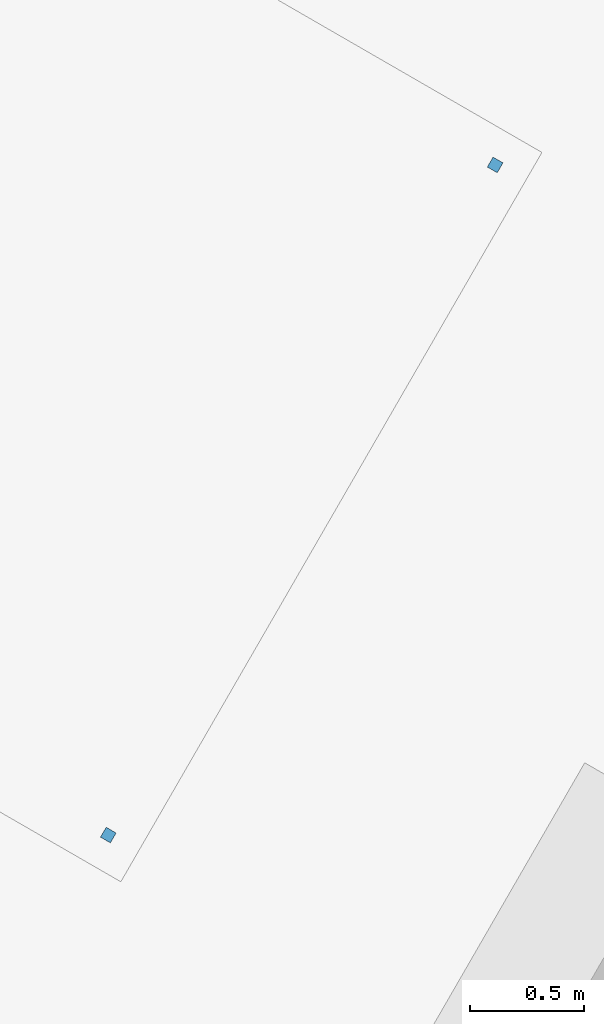
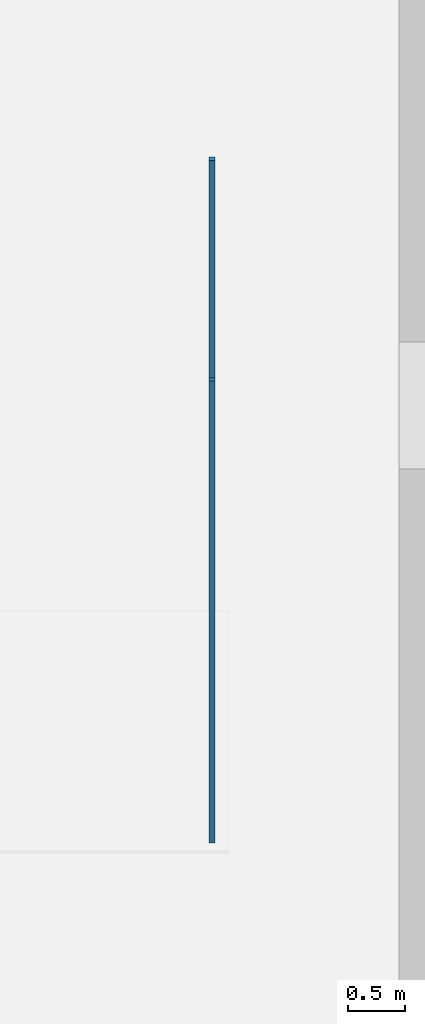
# One storey, part 15 of 26: 2 discrete accessories.
"""IFC4 building model written with IfcOpenShell, lengths in metres."""

from ifc_helpers import new_model, si_unit, direction, frame, origin, origin_2d, place, context, subcontext, project, spatial, rectangle, extrude, material, element, save


model = new_model("IFC4")

# Units and contexts
model_context = context("Model", 3, precision=1e-05, world=origin(), true_north=direction((0.0, 1.0)))
body_context = subcontext(model_context, "Body", "Model", "MODEL_VIEW")
ifc_project = project(units=[si_unit("LENGTHUNIT", "METRE"), si_unit("AREAUNIT", "SQUARE_METRE"), si_unit("VOLUMEUNIT", "CUBIC_METRE"), si_unit("PLANEANGLEUNIT", "RADIAN"), si_unit("MASSUNIT", "GRAM", prefix="KILO")], contexts=[model_context])

# Site, building, storey
site_placement = place(None, origin())
site = spatial("IfcSite", under=ifc_project, at=site_placement, CompositionType="ELEMENT")
building_placement = place(site_placement, origin())
building = spatial("IfcBuilding", under=site, at=building_placement, Name="Trine Commons Tower", CompositionType="ELEMENT")
storey_placement = place(building_placement, origin())
storey = spatial("IfcBuildingStorey", under=building, at=storey_placement, Name="L00", CompositionType="ELEMENT", Elevation=0.0)

# Discrete accessories
ifc_material = material(Name="Stainless steel rod", Category="steel")
for number, where, z_axis, x_axis, name in (
    (1, (86.841796875, 39.081298828125, 3.6298828125), (0.0, 0.0, 1.0), (-0.5, -0.866025403784, 0.0), "Canopy hanger E2.1"),
    (2, (85.146240234375, 36.144287109375, 3.6298828125), (0.0, 0.0, 1.0), (-0.5, -0.866025403784, 0.0), "Canopy hanger E2.2"),
):
    element("IfcDiscreteAccessory", number, at=place(storey_placement, frame(where, z_axis=z_axis, x_axis=x_axis)), inside=storey, material=ifc_material, Name=name, PredefinedType="BRACKET", context=body_context, shape_type="SweptSolid", body=[
        extrude(rectangle(XDim=0.050048828125, YDim=0.050048828125, at=origin_2d()), origin(), (0.0, 0.0, 1.0), 4.969970703125),
    ])

save(model, "model.ifc")
